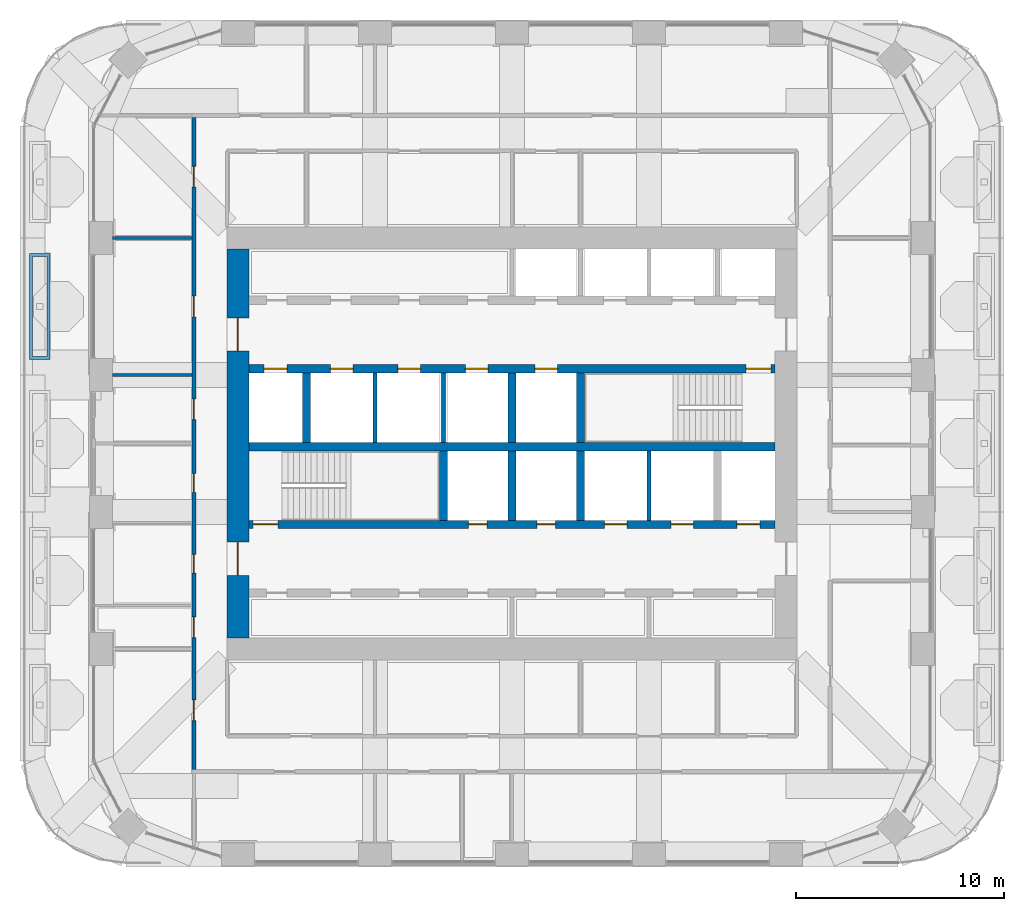
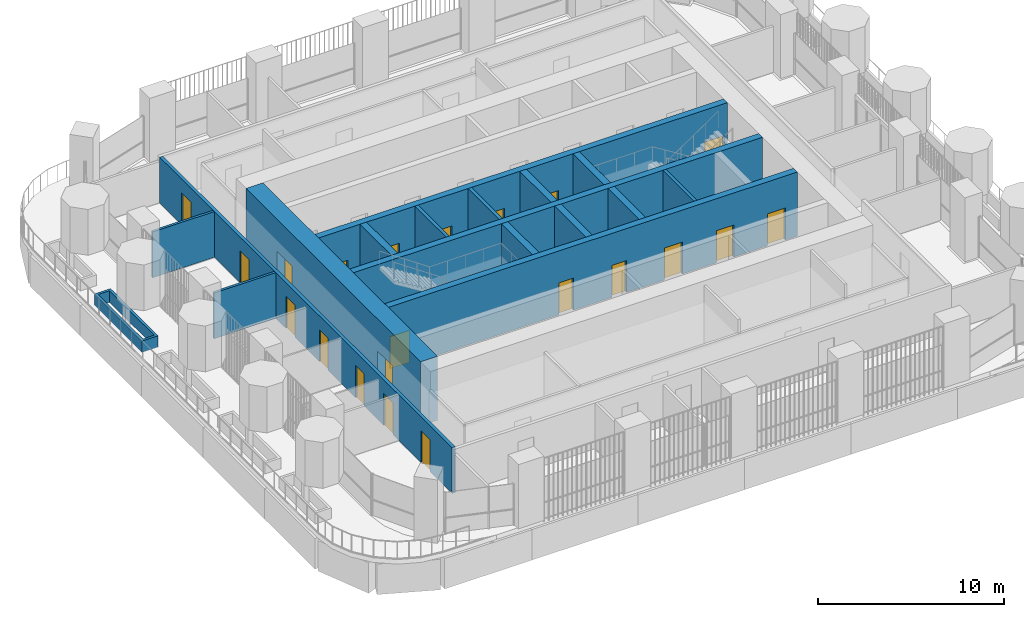
# One storey, part 15 of 24: 21 doors, 17 walls, 21 openings.
"""IFC4 building model written with IfcOpenShell, lengths in metres."""

from ifc_helpers import new_model, si_unit, direction, frame, frame_2d, origin, place, context, subcontext, project, spatial, polyline, rectangle, outline, extrude, material, layer, layer_set, type_object, element, fill, save


model = new_model("IFC4")

# Units and contexts
model_context = context("Model", 3, precision=1e-05, world=origin(), true_north=direction((0.0, 1.0)))
body_context = subcontext(model_context, "Body", "Model", "MODEL_VIEW")
ifc_project = project(units=[si_unit("LENGTHUNIT", "METRE"), si_unit("AREAUNIT", "SQUARE_METRE"), si_unit("VOLUMEUNIT", "CUBIC_METRE"), si_unit("PLANEANGLEUNIT", "RADIAN"), si_unit("MASSUNIT", "GRAM", prefix="KILO")], contexts=[model_context])

# Site, building, storey
site_placement = place(None, origin())
site = spatial("IfcSite", under=ifc_project, at=site_placement, CompositionType="ELEMENT")
building_placement = place(site_placement, origin())
building = spatial("IfcBuilding", under=site, at=building_placement, Name="Cobogo Forest Laboratory Tower", CompositionType="ELEMENT")
storey_placement = place(building_placement, frame((0.0, 0.0, 229.199951171875)))
storey = spatial("IfcBuildingStorey", under=building, at=storey_placement, Name="L52", CompositionType="ELEMENT", Elevation=229.199951171875)

# Wall, openings, doors
ifc_material_1 = material(Name="Concrete HA-50 (C50/60)", Category="concrete")
ifc_layer_1 = layer(ifc_material_1, 0.39990234375)
ifc_layer_set_1 = layer_set([ifc_layer_1], Name="CI400 core inner wall 400")
wall_type_1 = type_object("IfcWallType", Name="CI400 core inner wall 400", PredefinedType="SHEAR", material=ifc_layer_set_1)
wall_1_placement = place(storey_placement, frame((13.72509765625, 19.199951171875, 0.0), z_axis=(0.0, 0.0, 1.0), x_axis=(1.0, 0.0, 0.0)))
wall_1 = element("IfcWall", 1, at=wall_1_placement, inside=storey, type_object=wall_type_1, Name="Core wall CI-19.2 L52", PredefinedType="SHEAR", context=body_context, shape_type="SweptSolid", body=[
    extrude(rectangle(XDim=25.349853515625, YDim=0.39990234375, at=frame_2d((12.6748046875, 0.0))), origin(), (0.0, 0.0, 1.0), 4.199951171875),
])
opening_1_placement = place(wall_1_placement, frame((10.574951171875, 0.0, 0.0)))
opening_1 = element("IfcOpeningElement", 2, at=opening_1_placement, cuts=wall_1, Name="Opening L52-D24", PredefinedType="OPENING", context=body_context, shape_type="SweptSolid", body=[
    extrude(rectangle(XDim=0.89990234375, YDim=2.10009765625, at=frame_2d((0.449951171875, 1.050048828125))), frame((0.0, 0.2099609375, 0.0), z_axis=(0.0, -1.0, 0.0), x_axis=(1.0, 0.0, 0.0)), (0.0, 0.0, 1.0), 0.419921875),
])
opening_2_placement = place(wall_1_placement, frame((13.875, 0.0, 0.0)))
opening_2 = element("IfcOpeningElement", 3, at=opening_2_placement, cuts=wall_1, Name="Opening L52-D25", PredefinedType="OPENING", context=body_context, shape_type="SweptSolid", body=[
    extrude(rectangle(XDim=0.89990234375, YDim=2.10009765625, at=frame_2d((0.449951171875, 1.050048828125))), frame((0.0, 0.2099609375, 0.0), z_axis=(0.0, -1.0, 0.0), x_axis=(1.0, 0.0, 0.0)), (0.0, 0.0, 1.0), 0.419921875),
])
opening_3_placement = place(wall_1_placement, frame((0.199951171875, 0.0, 0.0)))
opening_3 = element("IfcOpeningElement", 4, at=opening_3_placement, cuts=wall_1, Name="Opening L52-D23", PredefinedType="OPENING", context=body_context, shape_type="SweptSolid", body=[
    extrude(rectangle(XDim=1.199951171875, YDim=2.10009765625, at=frame_2d((0.60009765625, 1.050048828125))), frame((0.0, 0.2099609375, 0.0), z_axis=(0.0, -1.0, 0.0), x_axis=(1.0, 0.0, 0.0)), (0.0, 0.0, 1.0), 0.419921875),
])
opening_4_placement = place(wall_1_placement, frame((23.512451171875, 0.0, 0.0)))
opening_4 = element("IfcOpeningElement", 5, at=opening_4_placement, cuts=wall_1, Name="Opening L52-LD-FL2", PredefinedType="OPENING", context=body_context, shape_type="SweptSolid", body=[
    extrude(rectangle(XDim=1.10009765625, YDim=2.10009765625, at=frame_2d((0.550048828125, 1.050048828125))), frame((0.0, 0.2099609375, 0.0), z_axis=(0.0, -1.0, 0.0), x_axis=(1.0, 0.0, 0.0)), (0.0, 0.0, 1.0), 0.419921875),
])
opening_5_placement = place(wall_1_placement, frame((17.125, 0.0, 0.0)))
opening_5 = element("IfcOpeningElement", 6, at=opening_5_placement, cuts=wall_1, Name="Opening L52-LD-LS1", PredefinedType="OPENING", context=body_context, shape_type="SweptSolid", body=[
    extrude(rectangle(XDim=1.10009765625, YDim=2.10009765625, at=frame_2d((0.550048828125, 1.050048828125))), frame((0.0, 0.2099609375, 0.0), z_axis=(0.0, -1.0, 0.0), x_axis=(1.0, 0.0, 0.0)), (0.0, 0.0, 1.0), 0.419921875),
])
opening_6_placement = place(wall_1_placement, frame((20.324951171875, 0.0, 0.0)))
opening_6 = element("IfcOpeningElement", 7, at=opening_6_placement, cuts=wall_1, Name="Opening L52-LD-LS2", PredefinedType="OPENING", context=body_context, shape_type="SweptSolid", body=[
    extrude(rectangle(XDim=1.10009765625, YDim=2.10009765625, at=frame_2d((0.550048828125, 1.050048828125))), frame((0.0, 0.2099609375, 0.0), z_axis=(0.0, -1.0, 0.0), x_axis=(1.0, 0.0, 0.0)), (0.0, 0.0, 1.0), 0.419921875),
])
ifc_material_2 = material(Name="Steel fire door", Category="steel")
door_type_1 = type_object("IfcDoorType", Name="DS1 protected stair door 1200 EI2 60", OperationType="SINGLE_SWING_LEFT", PredefinedType="DOOR", material=ifc_material_2)
door_1_placement = place(opening_3_placement, origin())
door_1 = element("IfcDoor", 8, at=door_1_placement, inside=storey, type_object=door_type_1, Name="Door L52-ST1", OperationType="SINGLE_SWING_LEFT", OverallHeight=2.10009765625, OverallWidth=1.199951171875, PredefinedType="DOOR", context=body_context, shape_type="SweptSolid", body=[
    extrude(rectangle(XDim=1.199951171875, YDim=2.10009765625, at=frame_2d((0.60009765625, 1.050048828125))), frame((0.0, 0.02490234375, 0.0), z_axis=(0.0, -1.0, 0.0), x_axis=(1.0, 0.0, 0.0)), (0.0, 0.0, 1.0), 0.050048828125),
])
fill(opening_3, door_1)
door_type_2 = type_object("IfcDoorType", Name="FD4 riser access door 900 EI2 60", OperationType="SINGLE_SWING_LEFT", PredefinedType="DOOR", material=ifc_material_2)
door_2_placement = place(opening_1_placement, origin())
door_2 = element("IfcDoor", 9, at=door_2_placement, inside=storey, type_object=door_type_2, Name="Door L52-R1", OperationType="SINGLE_SWING_LEFT", OverallHeight=2.10009765625, OverallWidth=0.89990234375, PredefinedType="DOOR", context=body_context, shape_type="SweptSolid", body=[
    extrude(rectangle(XDim=0.89990234375, YDim=2.10009765625, at=frame_2d((0.449951171875, 1.050048828125))), frame((0.0, 0.02490234375, 0.0), z_axis=(0.0, -1.0, 0.0), x_axis=(1.0, 0.0, 0.0)), (0.0, 0.0, 1.0), 0.050048828125),
])
fill(opening_1, door_2)
door_3_placement = place(opening_2_placement, origin())
door_3 = element("IfcDoor", 10, at=door_3_placement, inside=storey, type_object=door_type_2, Name="Door L52-R2", OperationType="SINGLE_SWING_RIGHT", OverallHeight=2.10009765625, OverallWidth=0.89990234375, PredefinedType="DOOR", context=body_context, shape_type="SweptSolid", body=[
    extrude(rectangle(XDim=0.89990234375, YDim=2.10009765625, at=frame_2d((0.449951171875, 1.050048828125))), frame((0.0, 0.02490234375, 0.0), z_axis=(0.0, -1.0, 0.0), x_axis=(1.0, 0.0, 0.0)), (0.0, 0.0, 1.0), 0.050048828125),
])
fill(opening_2, door_3)
ifc_material_3 = material(Name="Stainless steel lift door", Category="steel")
door_type_3 = type_object("IfcDoorType", Name="LD lift landing door 1100", OperationType="DOUBLE_DOOR_SLIDING", PredefinedType="DOOR", material=ifc_material_3)
door_4_placement = place(opening_4_placement, origin())
door_4 = element("IfcDoor", 11, at=door_4_placement, inside=storey, type_object=door_type_3, Name="Lift landing door FL2 L52", OperationType="DOUBLE_DOOR_SLIDING", OverallHeight=2.10009765625, OverallWidth=1.10009765625, PredefinedType="DOOR", context=body_context, shape_type="SweptSolid", body=[
    extrude(rectangle(XDim=1.10009765625, YDim=2.10009765625, at=frame_2d((0.550048828125, 1.050048828125))), frame((0.0, 0.02490234375, 0.0), z_axis=(0.0, -1.0, 0.0), x_axis=(1.0, 0.0, 0.0)), (0.0, 0.0, 1.0), 0.050048828125),
])
fill(opening_4, door_4)
door_5_placement = place(opening_5_placement, origin())
door_5 = element("IfcDoor", 12, at=door_5_placement, inside=storey, type_object=door_type_3, Name="Lift landing door LS1 L52", OperationType="DOUBLE_DOOR_SLIDING", OverallHeight=2.10009765625, OverallWidth=1.10009765625, PredefinedType="DOOR", context=body_context, shape_type="SweptSolid", body=[
    extrude(rectangle(XDim=1.10009765625, YDim=2.10009765625, at=frame_2d((0.550048828125, 1.050048828125))), frame((0.0, 0.02490234375, 0.0), z_axis=(0.0, -1.0, 0.0), x_axis=(1.0, 0.0, 0.0)), (0.0, 0.0, 1.0), 0.050048828125),
])
fill(opening_5, door_5)
door_6_placement = place(opening_6_placement, origin())
door_6 = element("IfcDoor", 13, at=door_6_placement, inside=storey, type_object=door_type_3, Name="Lift landing door LS2 L52", OperationType="DOUBLE_DOOR_SLIDING", OverallHeight=2.10009765625, OverallWidth=1.10009765625, PredefinedType="DOOR", context=body_context, shape_type="SweptSolid", body=[
    extrude(rectangle(XDim=1.10009765625, YDim=2.10009765625, at=frame_2d((0.550048828125, 1.050048828125))), frame((0.0, 0.02490234375, 0.0), z_axis=(0.0, -1.0, 0.0), x_axis=(1.0, 0.0, 0.0)), (0.0, 0.0, 1.0), 0.050048828125),
])
fill(opening_6, door_6)

# Wall
wall_2_placement = place(storey_placement, frame((13.72509765625, 22.949951171875, 0.0), z_axis=(0.0, 0.0, 1.0), x_axis=(1.0, 0.0, 0.0)))
element("IfcWall", 14, at=wall_2_placement, inside=storey, type_object=wall_type_1, Name="Core wall CI-22.95 L52", PredefinedType="SHEAR", context=body_context, shape_type="SweptSolid", body=[
    extrude(rectangle(XDim=25.349853515625, YDim=0.39990234375, at=frame_2d((12.6748046875, 0.0))), origin(), (0.0, 0.0, 1.0), 4.199951171875),
])

# Wall, openings, doors
wall_3_placement = place(storey_placement, frame((13.72509765625, 26.699951171875, 0.0), z_axis=(0.0, 0.0, 1.0), x_axis=(1.0, 0.0, 0.0)))
wall_3 = element("IfcWall", 15, at=wall_3_placement, inside=storey, type_object=wall_type_1, Name="Core wall CI-26.7 L52", PredefinedType="SHEAR", context=body_context, shape_type="SweptSolid", body=[
    extrude(rectangle(XDim=25.349853515625, YDim=0.39990234375, at=frame_2d((12.6748046875, 0.0))), origin(), (0.0, 0.0, 1.0), 4.199951171875),
])
opening_7_placement = place(wall_3_placement, frame((23.949951171875, 0.0, 0.0)))
opening_7 = element("IfcOpeningElement", 16, at=opening_7_placement, cuts=wall_3, Name="Opening L52-D32", PredefinedType="OPENING", context=body_context, shape_type="SweptSolid", body=[
    extrude(rectangle(XDim=1.199951171875, YDim=2.10009765625, at=frame_2d((0.60009765625, 1.050048828125))), frame((0.0, 0.2099609375, 0.0), z_axis=(0.0, -1.0, 0.0), x_axis=(1.0, 0.0, 0.0)), (0.0, 0.0, 1.0), 0.419921875),
])
opening_8_placement = place(wall_3_placement, frame((0.737548828125, 0.0, 0.0)))
opening_8 = element("IfcOpeningElement", 17, at=opening_8_placement, cuts=wall_3, Name="Opening L52-LD-FL1", PredefinedType="OPENING", context=body_context, shape_type="SweptSolid", body=[
    extrude(rectangle(XDim=1.10009765625, YDim=2.10009765625, at=frame_2d((0.550048828125, 1.050048828125))), frame((0.0, 0.2099609375, 0.0), z_axis=(0.0, -1.0, 0.0), x_axis=(1.0, 0.0, 0.0)), (0.0, 0.0, 1.0), 0.419921875),
])
opening_9_placement = place(wall_3_placement, frame((3.925048828125, 0.0, 0.0)))
opening_9 = element("IfcOpeningElement", 18, at=opening_9_placement, cuts=wall_3, Name="Opening L52-LD-LS3", PredefinedType="OPENING", context=body_context, shape_type="SweptSolid", body=[
    extrude(rectangle(XDim=1.10009765625, YDim=2.10009765625, at=frame_2d((0.550048828125, 1.050048828125))), frame((0.0, 0.2099609375, 0.0), z_axis=(0.0, -1.0, 0.0), x_axis=(1.0, 0.0, 0.0)), (0.0, 0.0, 1.0), 0.419921875),
])
opening_10_placement = place(wall_3_placement, frame((7.175048828125, 0.0, 0.0)))
opening_10 = element("IfcOpeningElement", 19, at=opening_10_placement, cuts=wall_3, Name="Opening L52-LD-LS4", PredefinedType="OPENING", context=body_context, shape_type="SweptSolid", body=[
    extrude(rectangle(XDim=1.10009765625, YDim=2.10009765625, at=frame_2d((0.550048828125, 1.050048828125))), frame((0.0, 0.2099609375, 0.0), z_axis=(0.0, -1.0, 0.0), x_axis=(1.0, 0.0, 0.0)), (0.0, 0.0, 1.0), 0.419921875),
])
opening_11_placement = place(wall_3_placement, frame((10.425048828125, 0.0, 0.0)))
opening_11 = element("IfcOpeningElement", 20, at=opening_11_placement, cuts=wall_3, Name="Opening L52-LD-LS5", PredefinedType="OPENING", context=body_context, shape_type="SweptSolid", body=[
    extrude(rectangle(XDim=1.10009765625, YDim=2.10009765625, at=frame_2d((0.550048828125, 1.050048828125))), frame((0.0, 0.2099609375, 0.0), z_axis=(0.0, -1.0, 0.0), x_axis=(1.0, 0.0, 0.0)), (0.0, 0.0, 1.0), 0.419921875),
])
opening_12_placement = place(wall_3_placement, frame((13.77490234375, 0.0, 0.0)))
opening_12 = element("IfcOpeningElement", 21, at=opening_12_placement, cuts=wall_3, Name="Opening L52-LD-LS6", PredefinedType="OPENING", context=body_context, shape_type="SweptSolid", body=[
    extrude(rectangle(XDim=1.10009765625, YDim=2.10009765625, at=frame_2d((0.550048828125, 1.050048828125))), frame((0.0, 0.2099609375, 0.0), z_axis=(0.0, -1.0, 0.0), x_axis=(1.0, 0.0, 0.0)), (0.0, 0.0, 1.0), 0.419921875),
])
door_7_placement = place(opening_7_placement, origin())
door_7 = element("IfcDoor", 22, at=door_7_placement, inside=storey, type_object=door_type_1, Name="Door L52-ST2", OperationType="SINGLE_SWING_RIGHT", OverallHeight=2.10009765625, OverallWidth=1.199951171875, PredefinedType="DOOR", context=body_context, shape_type="SweptSolid", body=[
    extrude(rectangle(XDim=1.199951171875, YDim=2.10009765625, at=frame_2d((0.60009765625, 1.050048828125))), frame((0.0, 0.02490234375, 0.0), z_axis=(0.0, -1.0, 0.0), x_axis=(1.0, 0.0, 0.0)), (0.0, 0.0, 1.0), 0.050048828125),
])
fill(opening_7, door_7)
door_8_placement = place(opening_8_placement, origin())
door_8 = element("IfcDoor", 23, at=door_8_placement, inside=storey, type_object=door_type_3, Name="Lift landing door FL1 L52", OperationType="DOUBLE_DOOR_SLIDING", OverallHeight=2.10009765625, OverallWidth=1.10009765625, PredefinedType="DOOR", context=body_context, shape_type="SweptSolid", body=[
    extrude(rectangle(XDim=1.10009765625, YDim=2.10009765625, at=frame_2d((0.550048828125, 1.050048828125))), frame((0.0, 0.02490234375, 0.0), z_axis=(0.0, -1.0, 0.0), x_axis=(1.0, 0.0, 0.0)), (0.0, 0.0, 1.0), 0.050048828125),
])
fill(opening_8, door_8)
door_9_placement = place(opening_9_placement, origin())
door_9 = element("IfcDoor", 24, at=door_9_placement, inside=storey, type_object=door_type_3, Name="Lift landing door LS3 L52", OperationType="DOUBLE_DOOR_SLIDING", OverallHeight=2.10009765625, OverallWidth=1.10009765625, PredefinedType="DOOR", context=body_context, shape_type="SweptSolid", body=[
    extrude(rectangle(XDim=1.10009765625, YDim=2.10009765625, at=frame_2d((0.550048828125, 1.050048828125))), frame((0.0, 0.02490234375, 0.0), z_axis=(0.0, -1.0, 0.0), x_axis=(1.0, 0.0, 0.0)), (0.0, 0.0, 1.0), 0.050048828125),
])
fill(opening_9, door_9)
door_10_placement = place(opening_10_placement, origin())
door_10 = element("IfcDoor", 25, at=door_10_placement, inside=storey, type_object=door_type_3, Name="Lift landing door LS4 L52", OperationType="DOUBLE_DOOR_SLIDING", OverallHeight=2.10009765625, OverallWidth=1.10009765625, PredefinedType="DOOR", context=body_context, shape_type="SweptSolid", body=[
    extrude(rectangle(XDim=1.10009765625, YDim=2.10009765625, at=frame_2d((0.550048828125, 1.050048828125))), frame((0.0, 0.02490234375, 0.0), z_axis=(0.0, -1.0, 0.0), x_axis=(1.0, 0.0, 0.0)), (0.0, 0.0, 1.0), 0.050048828125),
])
fill(opening_10, door_10)
door_11_placement = place(opening_11_placement, origin())
door_11 = element("IfcDoor", 26, at=door_11_placement, inside=storey, type_object=door_type_3, Name="Lift landing door LS5 L52", OperationType="DOUBLE_DOOR_SLIDING", OverallHeight=2.10009765625, OverallWidth=1.10009765625, PredefinedType="DOOR", context=body_context, shape_type="SweptSolid", body=[
    extrude(rectangle(XDim=1.10009765625, YDim=2.10009765625, at=frame_2d((0.550048828125, 1.050048828125))), frame((0.0, 0.02490234375, 0.0), z_axis=(0.0, -1.0, 0.0), x_axis=(1.0, 0.0, 0.0)), (0.0, 0.0, 1.0), 0.050048828125),
])
fill(opening_11, door_11)
door_12_placement = place(opening_12_placement, origin())
door_12 = element("IfcDoor", 27, at=door_12_placement, inside=storey, type_object=door_type_3, Name="Lift landing door LS6 L52", OperationType="DOUBLE_DOOR_SLIDING", OverallHeight=2.10009765625, OverallWidth=1.10009765625, PredefinedType="DOOR", context=body_context, shape_type="SweptSolid", body=[
    extrude(rectangle(XDim=1.10009765625, YDim=2.10009765625, at=frame_2d((0.550048828125, 1.050048828125))), frame((0.0, 0.02490234375, 0.0), z_axis=(0.0, -1.0, 0.0), x_axis=(1.0, 0.0, 0.0)), (0.0, 0.0, 1.0), 0.050048828125),
])
fill(opening_12, door_12)

# Walls
for number, where, z_axis, x_axis, name in (
    (28, (23.10009765625, 19.39990234375, 0.0), (0.0, 0.0, 1.0), (0.0, 1.0, 0.0), "Core wall CX-23.1 L52"),
    (29, (26.39990234375, 19.39990234375, 0.0), (0.0, 0.0, 1.0), (0.0, 1.0, 0.0), "Core wall CX-26.4S L52"),
    (30, (29.699951171875, 19.39990234375, 0.0), (0.0, 0.0, 1.0), (0.0, 1.0, 0.0), "Core wall CX-29.7S L52"),
    (31, (16.5, 23.14990234375, 0.0), (0.0, 0.0, 1.0), (0.0, 1.0, 0.0), "Core wall CX-16.5 L52"),
    (32, (26.39990234375, 23.14990234375, 0.0), (0.0, 0.0, 1.0), (0.0, 1.0, 0.0), "Core wall CX-26.4N L52"),
    (33, (29.699951171875, 23.14990234375, 0.0), (0.0, 0.0, 1.0), (0.0, 1.0, 0.0), "Core wall CX-29.7N L52"),
):
    element("IfcWall", number, at=place(storey_placement, frame(where, z_axis=z_axis, x_axis=x_axis)), inside=storey, type_object=wall_type_1, Name=name, PredefinedType="SHEAR", context=body_context, shape_type="SweptSolid", body=[
        extrude(rectangle(XDim=3.35009765625, YDim=0.39990234375, at=frame_2d((1.675048828125, 0.0))), origin(), (0.0, 0.0, 1.0), 4.199951171875),
    ])

# Wall, openings, doors
ifc_layer_2 = layer(ifc_material_1, 1.050048828125)
ifc_layer_set_2 = layer_set([ifc_layer_2], Name="CW1050 core outer wall 1050")
wall_type_2 = type_object("IfcWallType", Name="CW1050 core outer wall 1050", PredefinedType="SHEAR", material=ifc_layer_set_2)
wall_4_placement = place(storey_placement, frame((13.199951171875, 32.47509765625, 0.0), z_axis=(0.0, 0.0, 1.0), x_axis=(0.0, -1.0, 0.0)))
wall_4 = element("IfcWall", 34, at=wall_4_placement, inside=storey, type_object=wall_type_2, Name="Core wall CO-W L52", PredefinedType="SHEAR", context=body_context, shape_type="SweptSolid", body=[
    extrude(rectangle(XDim=18.75, YDim=1.050048828125, at=frame_2d((9.375, 0.0))), origin(), (0.0, 0.0, 1.0), 4.199951171875),
])
opening_13_placement = place(wall_4_placement, frame((14.125, 0.0, 0.0)))
opening_13 = element("IfcOpeningElement", 35, at=opening_13_placement, cuts=wall_4, Name="Opening L52-D21", PredefinedType="OPENING", context=body_context, shape_type="SweptSolid", body=[
    extrude(rectangle(XDim=1.60009765625, YDim=2.10009765625, at=frame_2d((0.800048828125, 1.050048828125))), frame((0.0, 0.534912109375, 0.0), z_axis=(0.0, -1.0, 0.0), x_axis=(1.0, 0.0, 0.0)), (0.0, 0.0, 1.0), 1.070068359375),
])
opening_14_placement = place(wall_4_placement, frame((3.324951171875, 0.0, 0.0)))
opening_14 = element("IfcOpeningElement", 36, at=opening_14_placement, cuts=wall_4, Name="Opening L52-D33", PredefinedType="OPENING", context=body_context, shape_type="SweptSolid", body=[
    extrude(rectangle(XDim=1.60009765625, YDim=2.10009765625, at=frame_2d((0.800048828125, 1.050048828125))), frame((0.0, 0.534912109375, 0.0), z_axis=(0.0, -1.0, 0.0), x_axis=(1.0, 0.0, 0.0)), (0.0, 0.0, 1.0), 1.070068359375),
])
door_type_4 = type_object("IfcDoorType", Name="DS2 protected lobby door pair 1600 EI2 60", OperationType="DOUBLE_DOOR_DOUBLE_SWING", PredefinedType="DOOR", material=ifc_material_2)
door_13_placement = place(opening_13_placement, origin())
door_13 = element("IfcDoor", 37, at=door_13_placement, inside=storey, type_object=door_type_4, Name="Door L52-CO-W-S", OperationType="DOUBLE_DOOR_DOUBLE_SWING", OverallHeight=2.10009765625, OverallWidth=1.60009765625, PredefinedType="DOOR", context=body_context, shape_type="SweptSolid", body=[
    extrude(rectangle(XDim=1.60009765625, YDim=2.10009765625, at=frame_2d((0.800048828125, 1.050048828125))), frame((0.0, 0.02490234375, 0.0), z_axis=(0.0, -1.0, 0.0), x_axis=(1.0, 0.0, 0.0)), (0.0, 0.0, 1.0), 0.050048828125),
])
fill(opening_13, door_13)
door_14_placement = place(opening_14_placement, origin())
door_14 = element("IfcDoor", 38, at=door_14_placement, inside=storey, type_object=door_type_4, Name="Door L52-CO-W-N", OperationType="DOUBLE_DOOR_DOUBLE_SWING", OverallHeight=2.10009765625, OverallWidth=1.60009765625, PredefinedType="DOOR", context=body_context, shape_type="SweptSolid", body=[
    extrude(rectangle(XDim=1.60009765625, YDim=2.10009765625, at=frame_2d((0.800048828125, 1.050048828125))), frame((0.0, 0.02490234375, 0.0), z_axis=(0.0, -1.0, 0.0), x_axis=(1.0, 0.0, 0.0)), (0.0, 0.0, 1.0), 0.050048828125),
])
fill(opening_14, door_14)

# Walls
ifc_material_4 = material(Name="Gypsum board on steel studs", Category="steel")
ifc_layer_3 = layer(ifc_material_4, 0.14990234375)
ifc_layer_set_3 = layer_set([ifc_layer_3], Name="PT1 laboratory partition 150")
wall_type_3 = type_object("IfcWallType", Name="PT1 laboratory partition 150", PredefinedType="PARTITIONING", material=ifc_layer_set_3)
for number, where, z_axis, x_axis, name in (
    (39, (7.14990234375, 26.39990234375, 0.0), (0.0, 0.0, 1.0), (1.0, 0.0, 0.0), "Partition CUT-W26.4-1 L52"),
    (40, (7.14990234375, 33.0, 0.0), (0.0, 0.0, 1.0), (1.0, 0.0, 0.0), "Partition CUT-W33-1 L52"),
):
    element("IfcWall", number, at=place(storey_placement, frame(where, z_axis=z_axis, x_axis=x_axis)), inside=storey, type_object=wall_type_3, Name=name, PredefinedType="PARTITIONING", context=body_context, shape_type="SweptSolid", body=[
        extrude(rectangle(XDim=3.8251953125, YDim=0.14990234375, at=frame_2d((1.91259765625, 0.0))), origin(), (0.0, 0.0, 1.0), 3.0),
    ])

# Wall, openings, doors
ifc_layer_4 = layer(ifc_material_4, 0.199951171875)
ifc_layer_set_4 = layer_set([ifc_layer_4], Name="PT2 fire-rated corridor partition 200")
wall_type_4 = type_object("IfcWallType", Name="PT2 fire-rated corridor partition 200", PredefinedType="PARTITIONING", material=ifc_layer_set_4)
wall_5_placement = place(storey_placement, frame((11.074951171875, 7.39990234375, 0.0), z_axis=(0.0, 0.0, 1.0), x_axis=(0.0, 1.0, 0.0)))
wall_5 = element("IfcWall", 41, at=wall_5_placement, inside=storey, type_object=wall_type_4, Name="Partition CORR-W L52", PredefinedType="PARTITIONING", context=body_context, shape_type="SweptSolid", body=[
    extrude(rectangle(XDim=31.400146484375, YDim=0.199951171875, at=frame_2d((15.7001953125, 0.0))), origin(), (0.0, 0.0, 1.0), 3.0),
])
opening_15_placement = place(wall_5_placement, frame((2.35009765625, 0.0, 0.0)))
opening_15 = element("IfcOpeningElement", 42, at=opening_15_placement, cuts=wall_5, Name="Opening L52-D09", PredefinedType="OPENING", context=body_context, shape_type="SweptSolid", body=[
    extrude(rectangle(XDim=1.0, YDim=2.10009765625, at=frame_2d((0.5, 1.050048828125))), frame((0.0, 0.10986328125, 0.0), z_axis=(0.0, -1.0, 0.0), x_axis=(1.0, 0.0, 0.0)), (0.0, 0.0, 1.0), 0.219970703125),
])
opening_16_placement = place(wall_5_placement, frame((6.35009765625, 0.0, 0.0)))
opening_16 = element("IfcOpeningElement", 43, at=opening_16_placement, cuts=wall_5, Name="Opening L52-D11", PredefinedType="OPENING", context=body_context, shape_type="SweptSolid", body=[
    extrude(rectangle(XDim=1.0, YDim=2.10009765625, at=frame_2d((0.5, 1.050048828125))), frame((0.0, 0.10986328125, 0.0), z_axis=(0.0, -1.0, 0.0), x_axis=(1.0, 0.0, 0.0)), (0.0, 0.0, 1.0), 0.219970703125),
])
opening_17_placement = place(wall_5_placement, frame((9.449951171875, 0.0, 0.0)))
opening_17 = element("IfcOpeningElement", 44, at=opening_17_placement, cuts=wall_5, Name="Opening L52-D20", PredefinedType="OPENING", context=body_context, shape_type="SweptSolid", body=[
    extrude(rectangle(XDim=0.89990234375, YDim=2.10009765625, at=frame_2d((0.449951171875, 1.050048828125))), frame((0.0, 0.10986328125, 0.0), z_axis=(0.0, -1.0, 0.0), x_axis=(1.0, 0.0, 0.0)), (0.0, 0.0, 1.0), 0.219970703125),
])
opening_18_placement = place(wall_5_placement, frame((13.35009765625, 0.0, 0.0)))
opening_18 = element("IfcOpeningElement", 45, at=opening_18_placement, cuts=wall_5, Name="Opening L52-D26", PredefinedType="OPENING", context=body_context, shape_type="SweptSolid", body=[
    extrude(rectangle(XDim=0.89990234375, YDim=2.10009765625, at=frame_2d((0.449951171875, 1.050048828125))), frame((0.0, 0.10986328125, 0.0), z_axis=(0.0, -1.0, 0.0), x_axis=(1.0, 0.0, 0.0)), (0.0, 0.0, 1.0), 0.219970703125),
])
opening_19_placement = place(wall_5_placement, frame((16.85009765625, 0.0, 0.0)))
opening_19 = element("IfcOpeningElement", 46, at=opening_19_placement, cuts=wall_5, Name="Opening L52-D31", PredefinedType="OPENING", context=body_context, shape_type="SweptSolid", body=[
    extrude(rectangle(XDim=1.0, YDim=2.10009765625, at=frame_2d((0.5, 1.050048828125))), frame((0.0, 0.10986328125, 0.0), z_axis=(0.0, -1.0, 0.0), x_axis=(1.0, 0.0, 0.0)), (0.0, 0.0, 1.0), 0.219970703125),
])
opening_20_placement = place(wall_5_placement, frame((21.800048828125, 0.0, 0.0)))
opening_20 = element("IfcOpeningElement", 47, at=opening_20_placement, cuts=wall_5, Name="Opening L52-D35", PredefinedType="OPENING", context=body_context, shape_type="SweptSolid", body=[
    extrude(rectangle(XDim=1.0, YDim=2.10009765625, at=frame_2d((0.5, 1.050048828125))), frame((0.0, 0.10986328125, 0.0), z_axis=(0.0, -1.0, 0.0), x_axis=(1.0, 0.0, 0.0)), (0.0, 0.0, 1.0), 0.219970703125),
])
opening_21_placement = place(wall_5_placement, frame((28.050048828125, 0.0, 0.0)))
opening_21 = element("IfcOpeningElement", 48, at=opening_21_placement, cuts=wall_5, Name="Opening L52-D41", PredefinedType="OPENING", context=body_context, shape_type="SweptSolid", body=[
    extrude(rectangle(XDim=1.0, YDim=2.10009765625, at=frame_2d((0.5, 1.050048828125))), frame((0.0, 0.10986328125, 0.0), z_axis=(0.0, -1.0, 0.0), x_axis=(1.0, 0.0, 0.0)), (0.0, 0.0, 1.0), 0.219970703125),
])
ifc_material_5 = material(Name="Timber fire door", Category="wood")
door_type_5 = type_object("IfcDoorType", Name="FD2 fire door 1000 EI2 30", OperationType="SINGLE_SWING_LEFT", PredefinedType="DOOR", material=ifc_material_5)
door_15_placement = place(opening_15_placement, origin())
door_15 = element("IfcDoor", 49, at=door_15_placement, inside=storey, type_object=door_type_5, Name="Door L52-W1", OperationType="SINGLE_SWING_LEFT", OverallHeight=2.10009765625, OverallWidth=1.0, PredefinedType="DOOR", context=body_context, shape_type="SweptSolid", body=[
    extrude(rectangle(XDim=1.0, YDim=2.10009765625, at=frame_2d((0.5, 1.050048828125))), frame((0.0, 0.02490234375, 0.0), z_axis=(0.0, -1.0, 0.0), x_axis=(1.0, 0.0, 0.0)), (0.0, 0.0, 1.0), 0.050048828125),
])
fill(opening_15, door_15)
door_16_placement = place(opening_19_placement, origin())
door_16 = element("IfcDoor", 50, at=door_16_placement, inside=storey, type_object=door_type_5, Name="Door L52-W2", OperationType="SINGLE_SWING_RIGHT", OverallHeight=2.10009765625, OverallWidth=1.0, PredefinedType="DOOR", context=body_context, shape_type="SweptSolid", body=[
    extrude(rectangle(XDim=1.0, YDim=2.10009765625, at=frame_2d((0.5, 1.050048828125))), frame((0.0, 0.02490234375, 0.0), z_axis=(0.0, -1.0, 0.0), x_axis=(1.0, 0.0, 0.0)), (0.0, 0.0, 1.0), 0.050048828125),
])
fill(opening_19, door_16)
door_17_placement = place(opening_20_placement, origin())
door_17 = element("IfcDoor", 51, at=door_17_placement, inside=storey, type_object=door_type_5, Name="Door L52-W3", OperationType="SINGLE_SWING_RIGHT", OverallHeight=2.10009765625, OverallWidth=1.0, PredefinedType="DOOR", context=body_context, shape_type="SweptSolid", body=[
    extrude(rectangle(XDim=1.0, YDim=2.10009765625, at=frame_2d((0.5, 1.050048828125))), frame((0.0, 0.02490234375, 0.0), z_axis=(0.0, -1.0, 0.0), x_axis=(1.0, 0.0, 0.0)), (0.0, 0.0, 1.0), 0.050048828125),
])
fill(opening_20, door_17)
door_18_placement = place(opening_21_placement, origin())
door_18 = element("IfcDoor", 52, at=door_18_placement, inside=storey, type_object=door_type_5, Name="Door L52-W4", OperationType="SINGLE_SWING_RIGHT", OverallHeight=2.10009765625, OverallWidth=1.0, PredefinedType="DOOR", context=body_context, shape_type="SweptSolid", body=[
    extrude(rectangle(XDim=1.0, YDim=2.10009765625, at=frame_2d((0.5, 1.050048828125))), frame((0.0, 0.02490234375, 0.0), z_axis=(0.0, -1.0, 0.0), x_axis=(1.0, 0.0, 0.0)), (0.0, 0.0, 1.0), 0.050048828125),
])
fill(opening_21, door_18)
door_type_6 = type_object("IfcDoorType", Name="FD3 toilet fire door 900 EI2 30", OperationType="SINGLE_SWING_LEFT", PredefinedType="DOOR", material=ifc_material_5)
door_19_placement = place(opening_17_placement, origin())
door_19 = element("IfcDoor", 53, at=door_19_placement, inside=storey, type_object=door_type_6, Name="Door L52-WCF", OperationType="SINGLE_SWING_LEFT", OverallHeight=2.10009765625, OverallWidth=0.89990234375, PredefinedType="DOOR", context=body_context, shape_type="SweptSolid", body=[
    extrude(rectangle(XDim=0.89990234375, YDim=2.10009765625, at=frame_2d((0.449951171875, 1.050048828125))), frame((0.0, 0.02490234375, 0.0), z_axis=(0.0, -1.0, 0.0), x_axis=(1.0, 0.0, 0.0)), (0.0, 0.0, 1.0), 0.050048828125),
])
fill(opening_17, door_19)
door_20_placement = place(opening_18_placement, origin())
door_20 = element("IfcDoor", 54, at=door_20_placement, inside=storey, type_object=door_type_6, Name="Door L52-WCM", OperationType="SINGLE_SWING_LEFT", OverallHeight=2.10009765625, OverallWidth=0.89990234375, PredefinedType="DOOR", context=body_context, shape_type="SweptSolid", body=[
    extrude(rectangle(XDim=0.89990234375, YDim=2.10009765625, at=frame_2d((0.449951171875, 1.050048828125))), frame((0.0, 0.02490234375, 0.0), z_axis=(0.0, -1.0, 0.0), x_axis=(1.0, 0.0, 0.0)), (0.0, 0.0, 1.0), 0.050048828125),
])
fill(opening_18, door_20)
door_type_7 = type_object("IfcDoorType", Name="FDA1 accessible toilet fire door 1000 EI2 30", OperationType="SINGLE_SWING_RIGHT", PredefinedType="DOOR", material=ifc_material_5)
door_21_placement = place(opening_16_placement, origin())
door_21 = element("IfcDoor", 55, at=door_21_placement, inside=storey, type_object=door_type_7, Name="Door L52-WCA", OperationType="SINGLE_SWING_LEFT", OverallHeight=2.10009765625, OverallWidth=1.0, PredefinedType="DOOR", context=body_context, shape_type="SweptSolid", body=[
    extrude(rectangle(XDim=1.0, YDim=2.10009765625, at=frame_2d((0.5, 1.050048828125))), frame((0.0, 0.02490234375, 0.0), z_axis=(0.0, -1.0, 0.0), x_axis=(1.0, 0.0, 0.0)), (0.0, 0.0, 1.0), 0.050048828125),
])
fill(opening_16, door_21)

# Walls
ifc_material_6 = material(Name="Concrete HA-40 (C40/50)", Category="concrete")
ifc_layer_5 = layer(ifc_material_6, 0.14990234375)
ifc_layer_set_5 = layer_set([ifc_layer_5], Name="Planter box 1000x750")
wall_type_5 = type_object("IfcWallType", Name="Planter box 1000x750", PredefinedType="USERDEFINED", material=ifc_layer_set_5)
wall_6_placement = place(storey_placement, origin())
element("IfcWall", 56, at=wall_6_placement, inside=storey, type_object=wall_type_5, Name="Terrace planter TER-W-4 L52", ObjectType="PLANTER", PredefinedType="USERDEFINED", context=body_context, shape_type="SweptSolid", body=[
    extrude(outline(polyline([(3.14990234375, 27.14990234375), (4.14990234375, 27.14990234375), (4.14990234375, 32.25), (3.14990234375, 32.25), (3.14990234375, 27.14990234375)]), holes=[polyline([(3.300048828125, 27.300048828125), (4.0, 27.300048828125), (4.0, 32.10009765625), (3.300048828125, 32.10009765625), (3.300048828125, 27.300048828125)])]), origin(), (0.0, 0.0, 1.0), 0.75),
])
ifc_material_7 = material(Name="Concrete block", Category="concrete")
ifc_layer_6 = layer(ifc_material_7, 0.199951171875)
ifc_layer_set_6 = layer_set([ifc_layer_6], Name="SW200 lift shaft separator 200")
wall_type_6 = type_object("IfcWallType", Name="SW200 lift shaft separator 200", PredefinedType="PARTITIONING", material=ifc_layer_set_6)
for number, where, z_axis, x_axis, name in (
    (57, (33.0, 19.39990234375, 0.0), (0.0, 0.0, 1.0), (0.0, 1.0, 0.0), "Core wall SEP-M33.0 L52"),
    (58, (19.800048828125, 23.14990234375, 0.0), (0.0, 0.0, 1.0), (0.0, 1.0, 0.0), "Core wall SEP-M19.8 L52"),
    (59, (23.10009765625, 23.14990234375, 0.0), (0.0, 0.0, 1.0), (0.0, 1.0, 0.0), "Core wall SEP-M23.1 L52"),
):
    element("IfcWall", number, at=place(storey_placement, frame(where, z_axis=z_axis, x_axis=x_axis)), inside=storey, type_object=wall_type_6, Name=name, PredefinedType="PARTITIONING", context=body_context, shape_type="SweptSolid", body=[
        extrude(rectangle(XDim=3.35009765625, YDim=0.199951171875, at=frame_2d((1.675048828125, 0.0))), origin(), (0.0, 0.0, 1.0), 4.199951171875),
    ])

save(model, "model.ifc")
